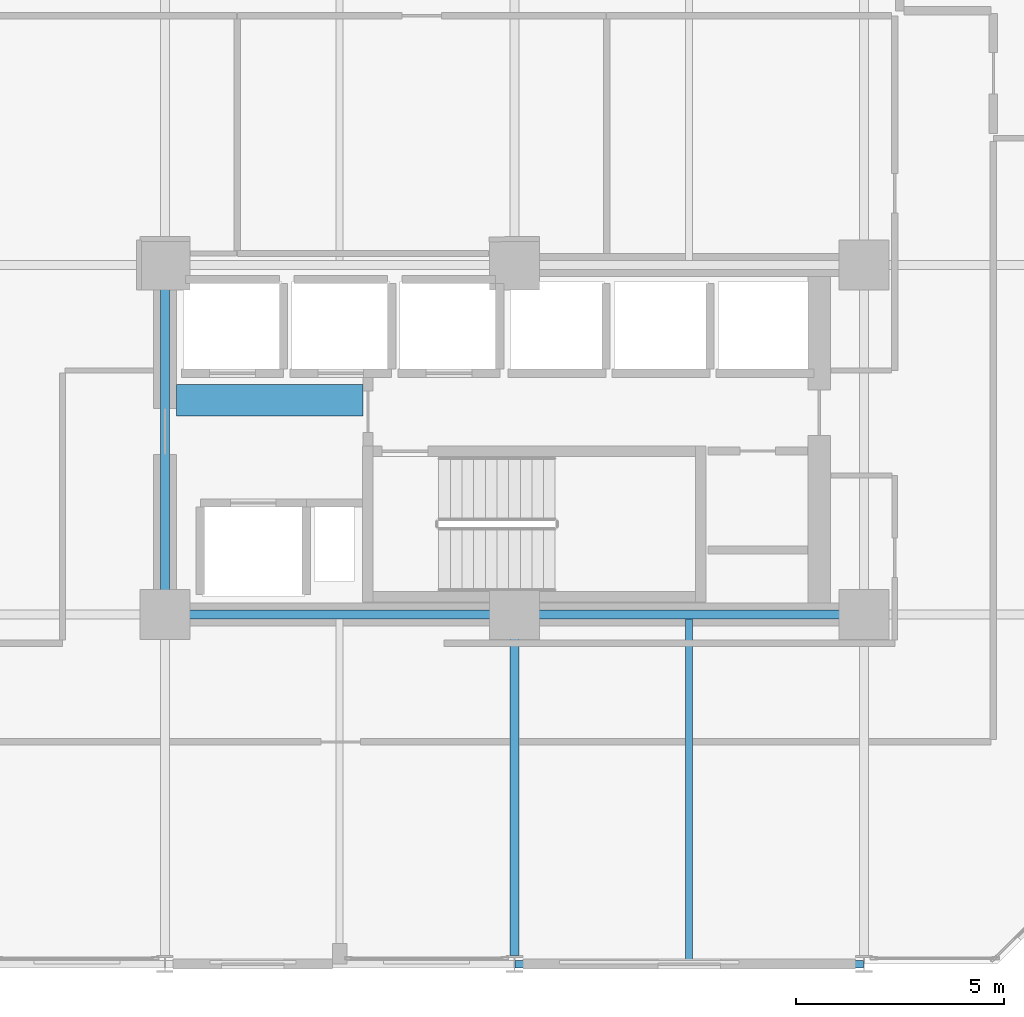
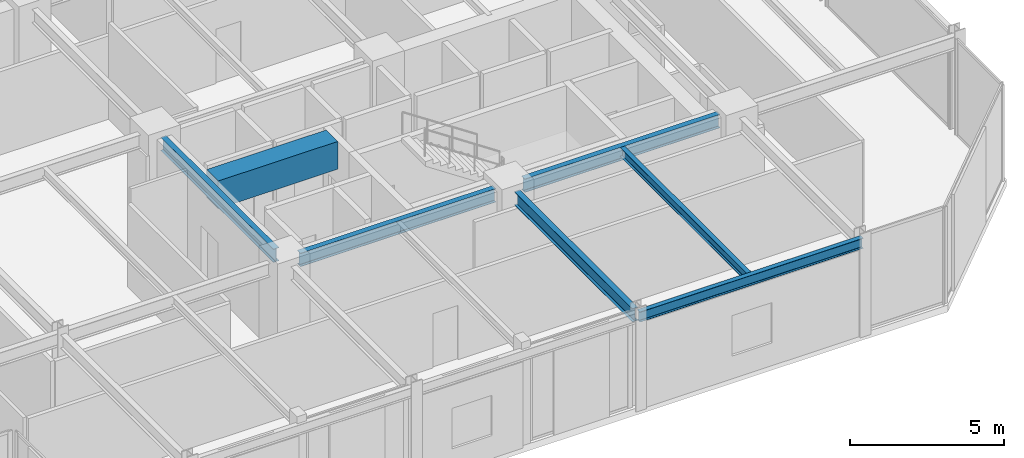
# One storey, part 7 of 29: 7 beams.
"""IFC4 building model written with IfcOpenShell, lengths in metres."""

from ifc_helpers import new_model, si_unit, direction, frame, origin, origin_2d, place, context, subcontext, project, spatial, rectangle, i_section, extrude, material, material_profile, profile_set, type_object, element, save


model = new_model("IFC4")

# Units and contexts
model_context = context("Model", 3, precision=1e-05, world=origin(), true_north=direction((0.0, 1.0)))
body_context = subcontext(model_context, "Body", "Model", "MODEL_VIEW")
ifc_project = project(units=[si_unit("LENGTHUNIT", "METRE"), si_unit("AREAUNIT", "SQUARE_METRE"), si_unit("VOLUMEUNIT", "CUBIC_METRE"), si_unit("PLANEANGLEUNIT", "RADIAN"), si_unit("MASSUNIT", "GRAM", prefix="KILO")], contexts=[model_context])

# Site, building, storey
site_placement = place(None, origin())
site = spatial("IfcSite", under=ifc_project, at=site_placement, CompositionType="ELEMENT")
building_placement = place(site_placement, origin())
building = spatial("IfcBuilding", under=site, at=building_placement, Name="Nerrivon Quay Data Exchange", CompositionType="ELEMENT")
storey_placement = place(building_placement, frame((0.0, 0.0, 145.89990234375)))
storey = spatial("IfcBuildingStorey", under=building, at=storey_placement, Name="L34", CompositionType="ELEMENT", Elevation=145.89990234375)

# Beams
ifc_material_1 = material(Name="Concrete S65 (65 MPa)", Category="concrete")
ifc_material_profile_1 = material_profile(ifc_material_1, rectangle(XDim=0.75, YDim=1.10009765625, at=origin_2d()), Name="RC-CB-750x1100")
ifc_profile_set_1 = profile_set([ifc_material_profile_1], Name="Concrete S65 (65 MPa)")
beam_type_1 = type_object("IfcBeamType", Name="BM-CB1-750x1100", PredefinedType="LINTEL", material=ifc_profile_set_1)
beam_1_placement = place(storey_placement, frame((17.074951171875, 13.550048828125, 3.275146484375), z_axis=(1.0, 0.0, 0.0), x_axis=(0.0, 1.0, 0.0)))
element("IfcBeam", 1, at=beam_1_placement, inside=storey, type_object=beam_type_1, Name="L34 East Core Coupling Beam", PredefinedType="LINTEL", context=body_context, shape_type="SweptSolid", body=[
    extrude(rectangle(XDim=0.75, YDim=1.10009765625, at=origin_2d()), origin(), (0.0, 0.0, 1.0), 4.47998046875),
])
ifc_material_2 = material(Name="Steel Grade 350", Category="steel")
ifc_material_profile_2 = material_profile(ifc_material_2, i_section(OverallWidth=0.208984375, OverallDepth=0.532958984375, WebThickness=0.01025390625, FlangeThickness=0.015625, FilletRadius=0.013916015625, at=origin_2d()), Name="530UB92.4")
ifc_profile_set_2 = profile_set([ifc_material_profile_2], Name="Steel Grade 350")
beam_type_2 = type_object("IfcBeamType", Name="BM-G3-530UB92", PredefinedType="BEAM", material=ifc_profile_set_2)
beam_2_placement = place(storey_placement, frame((17.340087890625, 8.39990234375, 3.55859375), z_axis=(1.0, 0.0, 0.0), x_axis=(0.0, 1.0, 0.0)))
element("IfcBeam", 2, at=beam_2_placement, inside=storey, type_object=beam_type_2, Name="L34 EW Girder Y=8.4 (16.8..25.2)", PredefinedType="BEAM", context=body_context, shape_type="SweptSolid", body=[
    extrude(i_section(OverallWidth=0.208984375, OverallDepth=0.532958984375, WebThickness=0.01025390625, FlangeThickness=0.015625, FilletRadius=0.013916015625, at=origin_2d()), origin(), (0.0, 0.0, 1.0), 7.31982421875),
])
beam_3_placement = place(storey_placement, frame((25.739990234375, 8.39990234375, 3.55859375), z_axis=(1.0, 0.0, 0.0), x_axis=(0.0, 1.0, 0.0)))
element("IfcBeam", 3, at=beam_3_placement, inside=storey, type_object=beam_type_2, Name="L34 EW Girder Y=8.4 (25.2..33.6)", PredefinedType="BEAM", context=body_context, shape_type="SweptSolid", body=[
    extrude(i_section(OverallWidth=0.208984375, OverallDepth=0.532958984375, WebThickness=0.01025390625, FlangeThickness=0.015625, FilletRadius=0.013916015625, at=origin_2d()), origin(), (0.0, 0.0, 1.0), 7.320068359375),
])
ifc_material_profile_3 = material_profile(ifc_material_2, i_section(OverallWidth=0.208984375, OverallDepth=0.528076171875, WebThickness=0.009521484375, FlangeThickness=0.01318359375, FilletRadius=0.013916015625, at=origin_2d()), Name="530UB82.0")
ifc_profile_set_3 = profile_set([ifc_material_profile_3], Name="Steel Grade 350")
beam_type_3 = type_object("IfcBeamType", Name="BM-G4-530UB82", PredefinedType="BEAM", material=ifc_profile_set_3)
beam_4_placement = place(storey_placement, frame((16.800048828125, 8.93994140625, 3.56103515625), z_axis=(0.0, 1.0, 0.0), x_axis=(-1.0, 0.0, 0.0)))
element("IfcBeam", 4, at=beam_4_placement, inside=storey, type_object=beam_type_3, Name="L34 NS Girder X=16.8 (8.4..16.8)", PredefinedType="BEAM", context=body_context, shape_type="SweptSolid", body=[
    extrude(i_section(OverallWidth=0.208984375, OverallDepth=0.528076171875, WebThickness=0.009521484375, FlangeThickness=0.01318359375, FilletRadius=0.013916015625, at=origin_2d()), origin(), (0.0, 0.0, 1.0), 7.320068359375),
])
beam_5_placement = place(storey_placement, frame((25.199951171875, 0.199951171875, 3.56103515625), z_axis=(0.0, 1.0, 0.0), x_axis=(-1.0, 0.0, 0.0)))
element("IfcBeam", 5, at=beam_5_placement, inside=storey, type_object=beam_type_3, Name="L34 NS Girder X=25.2 (0.0..8.4)", PredefinedType="BEAM", context=body_context, shape_type="SweptSolid", body=[
    extrude(i_section(OverallWidth=0.208984375, OverallDepth=0.528076171875, WebThickness=0.009521484375, FlangeThickness=0.01318359375, FilletRadius=0.013916015625, at=origin_2d()), origin(), (0.0, 0.0, 1.0), 7.66015625),
])
ifc_material_profile_4 = material_profile(ifc_material_2, i_section(OverallWidth=0.1708984375, OverallDepth=0.35595703125, WebThickness=0.00732421875, FlangeThickness=0.011474609375, FilletRadius=0.011474609375, at=origin_2d()), Name="360UB50.7")
ifc_profile_set_4 = profile_set([ifc_material_profile_4], Name="Steel Grade 350")
beam_type_4 = type_object("IfcBeamType", Name="BM-J4-360UB51", PredefinedType="JOIST", material=ifc_profile_set_4)
beam_6_placement = place(storey_placement, frame((29.39990234375, 0.089111328125, 3.647216796875), z_axis=(0.0, 1.0, 0.0), x_axis=(-1.0, 0.0, 0.0)))
element("IfcBeam", 6, at=beam_6_placement, inside=storey, type_object=beam_type_4, Name="L34 Secondary Joist X=29.4 (0.0..8.4)", PredefinedType="JOIST", context=body_context, shape_type="SweptSolid", body=[
    extrude(i_section(OverallWidth=0.1708984375, OverallDepth=0.35595703125, WebThickness=0.00732421875, FlangeThickness=0.011474609375, FilletRadius=0.011474609375, at=origin_2d()), origin(), (0.0, 0.0, 1.0), 8.206298828125),
])
ifc_material_profile_5 = material_profile(ifc_material_2, i_section(OverallWidth=0.177978515625, OverallDepth=0.403076171875, WebThickness=0.007568359375, FlangeThickness=0.010986328125, FilletRadius=0.011474609375, at=origin_2d()), Name="410UB53.7")
ifc_profile_set_5 = profile_set([ifc_material_profile_5], Name="Steel Grade 350")
beam_type_5 = type_object("IfcBeamType", Name="BM-SP2-410UB54", PredefinedType="SPANDREL", material=ifc_profile_set_5)
beam_7_placement = place(storey_placement, frame((25.21240234375, 0.0, 3.62353515625), z_axis=(1.0, 0.0, 0.0), x_axis=(0.0, 1.0, 0.0)))
element("IfcBeam", 7, at=beam_7_placement, inside=storey, type_object=beam_type_5, Name="L34 EW Girder Y=0.0 (25.2..33.6)", PredefinedType="SPANDREL", context=body_context, shape_type="SweptSolid", body=[
    extrude(i_section(OverallWidth=0.177978515625, OverallDepth=0.403076171875, WebThickness=0.007568359375, FlangeThickness=0.010986328125, FilletRadius=0.011474609375, at=origin_2d()), origin(), (0.0, 0.0, 1.0), 8.375),
])

save(model, "model.ifc")
